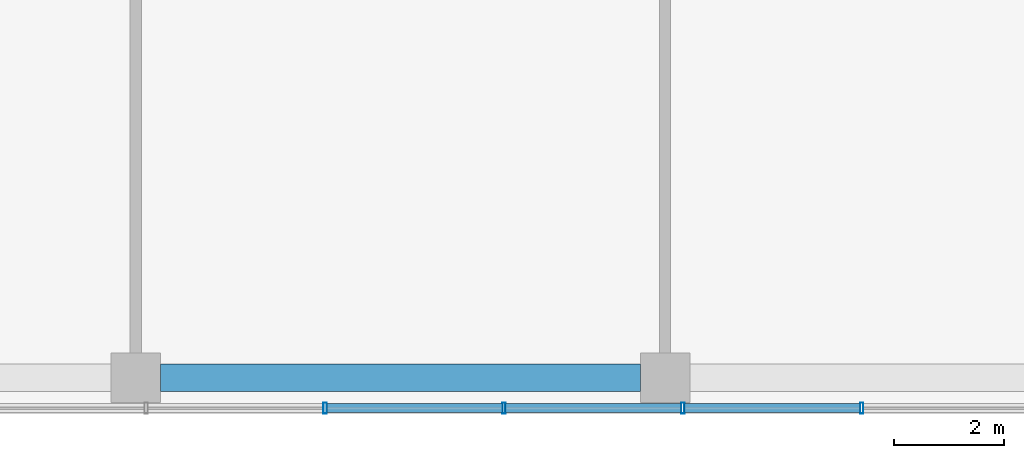
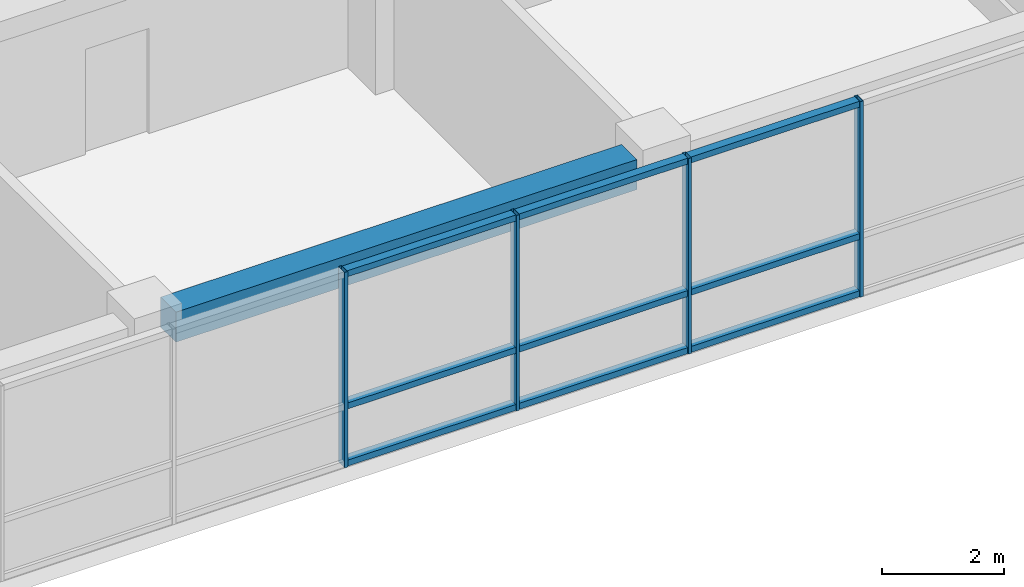
# One storey, part 11 of 36: 13 members, 1 beam, 1 element without a shape of its own.
"""IFC4 building model written with IfcOpenShell, lengths in metres."""

from ifc_helpers import new_model, si_unit, direction, frame, origin, origin_2d, place, context, subcontext, project, spatial, rectangle, hollow_rectangle, extrude, material, layer, layer_set, material_profile, profile_set, type_object, element, aggregate, save


model = new_model("IFC4")

# Units and contexts
model_context = context("Model", 3, precision=1e-05, world=origin(), true_north=direction((0.0, 1.0)))
body_context = subcontext(model_context, "Body", "Model", "MODEL_VIEW")
ifc_project = project(units=[si_unit("LENGTHUNIT", "METRE"), si_unit("AREAUNIT", "SQUARE_METRE"), si_unit("VOLUMEUNIT", "CUBIC_METRE"), si_unit("PLANEANGLEUNIT", "RADIAN"), si_unit("MASSUNIT", "GRAM", prefix="KILO")], contexts=[model_context])

# Site, building, storey
site_placement = place(None, origin())
site = spatial("IfcSite", under=ifc_project, at=site_placement, CompositionType="ELEMENT")
building_placement = place(site_placement, origin())
building = spatial("IfcBuilding", under=site, at=building_placement, Name="Nzadi Deep Aquarium and Research Tower", CompositionType="ELEMENT")
storey_placement = place(building_placement, frame((0.0, 0.0, 36.10009765625)))
storey = spatial("IfcBuildingStorey", under=building, at=storey_placement, Name="L06", CompositionType="ELEMENT", Elevation=36.10009765625)

# Curtain wall, members
ifc_material_1 = material(Name="Aluminium unitised frame", Category="aluminium")
ifc_layer = layer(ifc_material_1, 0.199951171875)
ifc_layer_set = layer_set([ifc_layer], Name="Aluminium unitised frame")
curtain_wall_type = type_object("IfcCurtainWallType", Name="Curtain wall Unitised 200", PredefinedType="NOTDEFINED", material=ifc_layer_set)
curtain_wall_placement = place(storey_placement, origin())
curtain_wall = element("IfcCurtainWall", 1, at=curtain_wall_placement, inside=storey, type_object=curtain_wall_type, Name="Unitised curtain wall blade A south L06", PredefinedType="NOTDEFINED")
ifc_material_2 = material(Name="Aluminium unitised frame", Category="aluminium")
ifc_material_profile_1 = material_profile(ifc_material_2, hollow_rectangle(XDim=0.199951171875, YDim=0.06005859375, WallThickness=0.0048828125, at=origin_2d()))
ifc_profile_set_1 = profile_set([ifc_material_profile_1], Name="Aluminium unitised frame")
member_type_1 = type_object("IfcMemberType", Name="Mullion 60x200 Unitised", PredefinedType="MULLION", material=ifc_profile_set_1)
member_1_placement = place(storey_placement, frame((32.2333984375, -0.10009765625, 0.0), z_axis=(0.0, 0.0, 1.0), x_axis=(0.0, 1.0, 0.0)))
member_1 = element("IfcMember", 2, at=member_1_placement, type_object=member_type_1, Name="CW008 mullion 11", PredefinedType="MULLION", context=body_context, shape_type="SweptSolid", body=[
    extrude(hollow_rectangle(XDim=0.199951171875, YDim=0.06005859375, WallThickness=0.0048828125, at=origin_2d()), origin(), (0.0, 0.0, 1.0), 3.89990234375),
])
member_2_placement = place(storey_placement, frame((35.4765625, -0.10009765625, 0.0), z_axis=(0.0, 0.0, 1.0), x_axis=(0.0, 1.0, 0.0)))
member_2 = element("IfcMember", 3, at=member_2_placement, type_object=member_type_1, Name="CW008 mullion 12", PredefinedType="MULLION", context=body_context, shape_type="SweptSolid", body=[
    extrude(hollow_rectangle(XDim=0.199951171875, YDim=0.06005859375, WallThickness=0.0048828125, at=origin_2d()), origin(), (0.0, 0.0, 1.0), 3.89990234375),
])
member_3_placement = place(storey_placement, frame((38.719970703125, -0.10009765625, 0.0), z_axis=(0.0, 0.0, 1.0), x_axis=(0.0, 1.0, 0.0)))
member_3 = element("IfcMember", 4, at=member_3_placement, type_object=member_type_1, Name="CW008 mullion 13", PredefinedType="MULLION", context=body_context, shape_type="SweptSolid", body=[
    extrude(hollow_rectangle(XDim=0.199951171875, YDim=0.06005859375, WallThickness=0.0048828125, at=origin_2d()), origin(), (0.0, 0.0, 1.0), 3.89990234375),
])
member_4_placement = place(storey_placement, frame((41.96337890625, -0.10009765625, 0.0), z_axis=(0.0, 0.0, 1.0), x_axis=(0.0, 1.0, 0.0)))
member_4 = element("IfcMember", 5, at=member_4_placement, type_object=member_type_1, Name="CW008 mullion 14", PredefinedType="MULLION", context=body_context, shape_type="SweptSolid", body=[
    extrude(hollow_rectangle(XDim=0.199951171875, YDim=0.06005859375, WallThickness=0.0048828125, at=origin_2d()), origin(), (0.0, 0.0, 1.0), 3.89990234375),
])

# Beam
ifc_material_3 = material(Name="Concrete C35/45", Category="concrete")
ifc_material_profile_2 = material_profile(ifc_material_3, rectangle(XDim=0.5, YDim=0.60009765625, at=origin_2d()))
ifc_profile_set_2 = profile_set([ifc_material_profile_2], Name="Concrete C35/45")
beam_type = type_object("IfcBeamType", Name="RC 500x600", PredefinedType="BEAM", material=ifc_profile_set_2)
beam_placement = place(storey_placement, frame((29.25, 0.449951171875, 3.599853515625), z_axis=(1.0, 0.0, 0.0), x_axis=(0.0, 1.0, 0.0)))
element("IfcBeam", 6, at=beam_placement, inside=storey, type_object=beam_type, Name="B-Z1-L06-L1-4", PredefinedType="BEAM", context=body_context, shape_type="SweptSolid", body=[
    extrude(rectangle(XDim=0.5, YDim=0.60009765625, at=origin_2d()), origin(), (0.0, 0.0, 1.0), 8.699951171875),
])

# Member
ifc_material_4 = material(Name="Aluminium unitised frame", Category="aluminium")
ifc_material_profile_3 = material_profile(ifc_material_4, hollow_rectangle(XDim=0.159912109375, YDim=0.1201171875, WallThickness=0.0048828125, at=origin_2d()))
ifc_profile_set_3 = profile_set([ifc_material_profile_3], Name="Aluminium unitised frame")
member_type_2 = type_object("IfcMemberType", Name="Transom 120x160 Unitised", PredefinedType="MULLION", material=ifc_profile_set_3)
member_5_placement = place(storey_placement, frame((32.263427734375, -0.10009765625, 0.059814453125), z_axis=(1.0, 0.0, 0.0), x_axis=(0.0, 1.0, 0.0)))
member_5 = element("IfcMember", 7, at=member_5_placement, type_object=member_type_2, Name="CW008 transom 11.1", PredefinedType="MULLION", context=body_context, shape_type="SweptSolid", body=[
    extrude(hollow_rectangle(XDim=0.159912109375, YDim=0.1201171875, WallThickness=0.0048828125, at=origin_2d()), origin(), (0.0, 0.0, 1.0), 3.183349609375),
])

member_6_placement = place(storey_placement, frame((32.263427734375, -0.10009765625, 1.199951171875), z_axis=(1.0, 0.0, 0.0), x_axis=(0.0, 1.0, 0.0)))
member_6 = element("IfcMember", 8, at=member_6_placement, type_object=member_type_2, Name="CW008 transom 11.2", PredefinedType="MULLION", context=body_context, shape_type="SweptSolid", body=[
    extrude(hollow_rectangle(XDim=0.159912109375, YDim=0.1201171875, WallThickness=0.0048828125, at=origin_2d()), origin(), (0.0, 0.0, 1.0), 3.183349609375),
])

member_7_placement = place(storey_placement, frame((32.263427734375, -0.10009765625, 3.83984375), z_axis=(1.0, 0.0, 0.0), x_axis=(0.0, 1.0, 0.0)))
member_7 = element("IfcMember", 9, at=member_7_placement, type_object=member_type_2, Name="CW008 transom 11.3", PredefinedType="MULLION", context=body_context, shape_type="SweptSolid", body=[
    extrude(hollow_rectangle(XDim=0.159912109375, YDim=0.1201171875, WallThickness=0.0048828125, at=origin_2d()), origin(), (0.0, 0.0, 1.0), 3.183349609375),
])

member_8_placement = place(storey_placement, frame((35.506591796875, -0.10009765625, 0.059814453125), z_axis=(1.0, 0.0, 0.0), x_axis=(0.0, 1.0, 0.0)))
member_8 = element("IfcMember", 10, at=member_8_placement, type_object=member_type_2, Name="CW008 transom 12.1", PredefinedType="MULLION", context=body_context, shape_type="SweptSolid", body=[
    extrude(hollow_rectangle(XDim=0.159912109375, YDim=0.1201171875, WallThickness=0.0048828125, at=origin_2d()), origin(), (0.0, 0.0, 1.0), 3.183349609375),
])

member_9_placement = place(storey_placement, frame((35.506591796875, -0.10009765625, 1.199951171875), z_axis=(1.0, 0.0, 0.0), x_axis=(0.0, 1.0, 0.0)))
member_9 = element("IfcMember", 11, at=member_9_placement, type_object=member_type_2, Name="CW008 transom 12.2", PredefinedType="MULLION", context=body_context, shape_type="SweptSolid", body=[
    extrude(hollow_rectangle(XDim=0.159912109375, YDim=0.1201171875, WallThickness=0.0048828125, at=origin_2d()), origin(), (0.0, 0.0, 1.0), 3.183349609375),
])

member_10_placement = place(storey_placement, frame((35.506591796875, -0.10009765625, 3.83984375), z_axis=(1.0, 0.0, 0.0), x_axis=(0.0, 1.0, 0.0)))
member_10 = element("IfcMember", 12, at=member_10_placement, type_object=member_type_2, Name="CW008 transom 12.3", PredefinedType="MULLION", context=body_context, shape_type="SweptSolid", body=[
    extrude(hollow_rectangle(XDim=0.159912109375, YDim=0.1201171875, WallThickness=0.0048828125, at=origin_2d()), origin(), (0.0, 0.0, 1.0), 3.183349609375),
])

member_11_placement = place(storey_placement, frame((38.75, -0.10009765625, 0.059814453125), z_axis=(1.0, 0.0, 0.0), x_axis=(0.0, 1.0, 0.0)))
member_11 = element("IfcMember", 13, at=member_11_placement, type_object=member_type_2, Name="CW008 transom 13.1", PredefinedType="MULLION", context=body_context, shape_type="SweptSolid", body=[
    extrude(hollow_rectangle(XDim=0.159912109375, YDim=0.1201171875, WallThickness=0.0048828125, at=origin_2d()), origin(), (0.0, 0.0, 1.0), 3.183349609375),
])

member_12_placement = place(storey_placement, frame((38.75, -0.10009765625, 1.199951171875), z_axis=(1.0, 0.0, 0.0), x_axis=(0.0, 1.0, 0.0)))
member_12 = element("IfcMember", 14, at=member_12_placement, type_object=member_type_2, Name="CW008 transom 13.2", PredefinedType="MULLION", context=body_context, shape_type="SweptSolid", body=[
    extrude(hollow_rectangle(XDim=0.159912109375, YDim=0.1201171875, WallThickness=0.0048828125, at=origin_2d()), origin(), (0.0, 0.0, 1.0), 3.183349609375),
])

member_13_placement = place(storey_placement, frame((38.75, -0.10009765625, 3.83984375), z_axis=(1.0, 0.0, 0.0), x_axis=(0.0, 1.0, 0.0)))
member_13 = element("IfcMember", 15, at=member_13_placement, type_object=member_type_2, Name="CW008 transom 13.3", PredefinedType="MULLION", context=body_context, shape_type="SweptSolid", body=[
    extrude(hollow_rectangle(XDim=0.159912109375, YDim=0.1201171875, WallThickness=0.0048828125, at=origin_2d()), origin(), (0.0, 0.0, 1.0), 3.183349609375),
])

aggregate(curtain_wall, [member_1, member_2, member_3, member_4, member_5, member_6, member_7, member_8, member_9, member_10, member_11, member_12, member_13])

save(model, "model.ifc")
